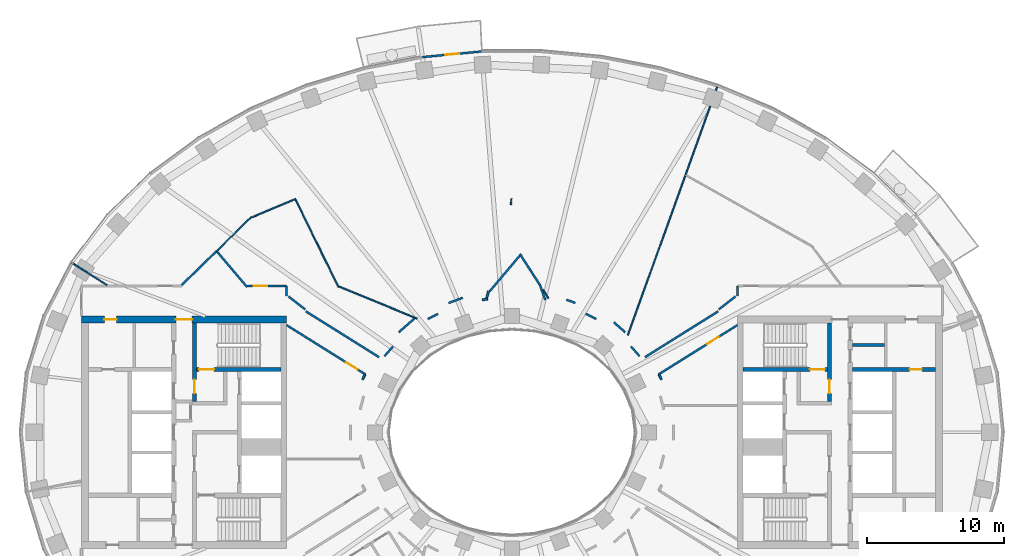
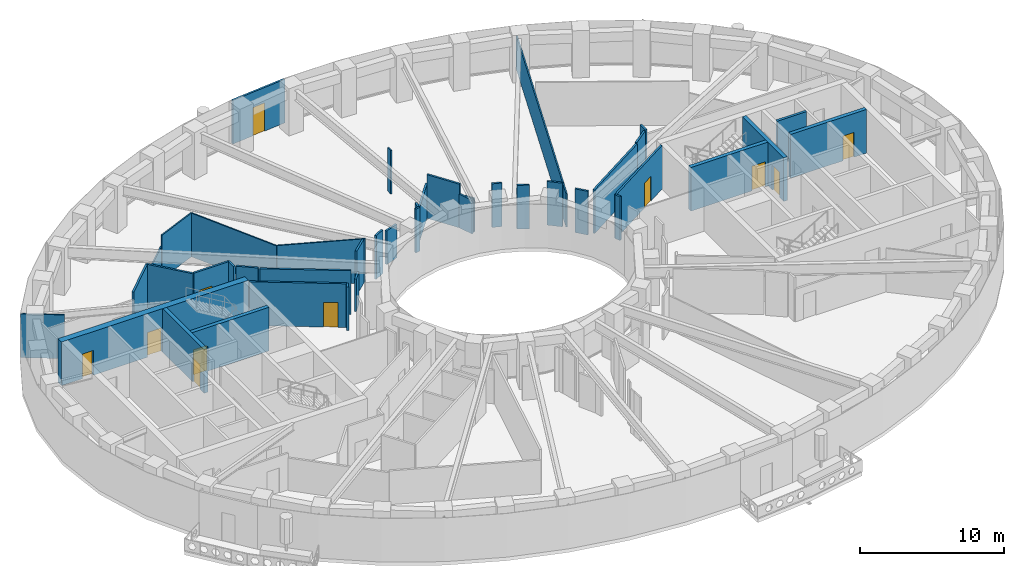
# One storey, part 6 of 16: 42 walls, 11 doors, 11 openings.
"""IFC4 building model written with IfcOpenShell, lengths in metres."""

import ifcopenshell
import ifcopenshell.guid

model = None  # the IFC model being written
_history = None  # IfcOwnerHistory: only IFC2X3 demands one
_inside = {}  # id of a spatial element -> (the spatial element, [elements in it])
_under = {}  # id of a project, library or spatial element -> (it, [spatial elements below it])
_declared = {}  # id of a project -> (the project, [libraries it declares])
_typed = {}  # id of a type object -> (the type object, [elements of that type])
_made_of = {}  # id of a material, layer set ... -> (it, [elements and type objects made of it])


def new_model(schema):
    """Start an empty IFC model of exactly this schema.

    Asked for "IFC4X3", IfcOpenShell would pick the latest addendum, in which some entities
    have other attributes; the version numbers below select the first issue.
    IFC2X3 requires an IfcOwnerHistory on every rooted entity: one is made here for all.
    """
    global model, _history
    if schema == "IFC4X3":
        model = ifcopenshell.file(schema_version=(4, 3, 0, 0))
    else:
        model = ifcopenshell.file(schema=schema)
    _inside.clear()
    _under.clear()
    _declared.clear()
    _typed.clear()
    _made_of.clear()
    _history = None
    if model.schema == "IFC2X3":
        org = make("IfcOrganization", Name="unknown")
        user = make(
            "IfcPersonAndOrganization",
            ThePerson=make("IfcPerson", FamilyName="unknown"),
            TheOrganization=org,
        )
        app = make(
            "IfcApplication",
            ApplicationDeveloper=org,
            Version="unknown",
            ApplicationFullName="unknown",
            ApplicationIdentifier="unknown",
        )
        _history = make(
            "IfcOwnerHistory",
            OwningUser=user,
            OwningApplication=app,
            ChangeAction="ADDED",
            CreationDate=0,
        )
    return model


def make(cls, **values):
    """One entity of the class cls with the attributes given. An attribute that is None is left unset."""
    return model.create_entity(
        cls, **{name: value for name, value in values.items() if value is not None}
    )


def rooted(cls, **values):
    """An entity with a GlobalId (a new one), such as an element, a storey or a relation."""
    return make(cls, GlobalId=ifcopenshell.guid.new(), OwnerHistory=_history, **values)


def si_unit(unit_type, name, prefix=None):
    """IfcSIUnit, for example si_unit("LENGTHUNIT", "METRE", prefix="MILLI")."""
    return make("IfcSIUnit", UnitType=unit_type, Prefix=prefix, Name=name)


def assignment(units):
    """IfcUnitAssignment: the units of a project."""
    return None if units is None else make("IfcUnitAssignment", Units=units)


def point(xyz):
    """IfcCartesianPoint."""
    return None if xyz is None else make("IfcCartesianPoint", Coordinates=xyz)


def direction(xyz):
    """IfcDirection."""
    return None if xyz is None else make("IfcDirection", DirectionRatios=xyz)


def frame(location, z_axis=None, x_axis=None):
    """IfcAxis2Placement3D, a coordinate frame: its origin and axes. An axis left out is left unset."""
    return make(
        "IfcAxis2Placement3D",
        Location=point(location),
        Axis=direction(z_axis),
        RefDirection=direction(x_axis),
    )


def frame_2d(location, x_axis=None):
    """IfcAxis2Placement2D, a coordinate frame in the plane: its origin and x axis."""
    return make(
        "IfcAxis2Placement2D", Location=point(location), RefDirection=direction(x_axis)
    )


def origin():
    """The frame at (0, 0, 0) with its axes left unset."""
    return frame((0.0, 0.0, 0.0))


def place(relative_to, where):
    """IfcLocalPlacement: puts the frame where relative to a parent placement (None: the world)."""
    return make(
        "IfcLocalPlacement", PlacementRelTo=relative_to, RelativePlacement=where
    )


def context(
    kind, dimensions, precision=None, world=None, true_north=None, identifier=None
):
    """IfcGeometricRepresentationContext, for example the 3D "Model" context."""
    return make(
        "IfcGeometricRepresentationContext",
        ContextIdentifier=identifier,
        ContextType=kind,
        CoordinateSpaceDimension=dimensions,
        Precision=precision,
        WorldCoordinateSystem=world,
        TrueNorth=true_north,
    )


def subcontext(parent, identifier, kind, view, scale=None):
    """IfcGeometricRepresentationSubContext, for example "Body" below "Model"."""
    return make(
        "IfcGeometricRepresentationSubContext",
        ContextIdentifier=identifier,
        ContextType=kind,
        ParentContext=parent,
        TargetScale=scale,
        TargetView=view,
    )


def project(units=None, contexts=None):
    """IfcProject with its units and contexts."""
    return rooted(
        "IfcProject",
        Name="project",
        RepresentationContexts=contexts,
        UnitsInContext=assignment(units),
    )


def spatial(cls, under=None, at=None, **own):
    """A site, building, storey or space (cls), placed at a placement, below another one or the project."""
    s = rooted(cls, ObjectPlacement=at, **own)
    if under is not None:
        _under.setdefault(under.id(), (under, []))[1].append(s)
    return s


def profile(cls, at=None, kind="AREA", **sizes):
    """A parametric profile (cls). Its sizes go by their IFC names, for example OverallWidth=200.0."""
    return make(cls, ProfileType=kind, Position=at, **sizes)


def rectangle(**sizes):
    """IfcRectangleProfileDef."""
    return profile("IfcRectangleProfileDef", **sizes)


def extrude(swept, where, along, depth):
    """IfcExtrudedAreaSolid: the profile swept, set in the frame where, extruded along a direction by depth."""
    return make(
        "IfcExtrudedAreaSolid",
        SweptArea=swept,
        Position=where,
        ExtrudedDirection=direction(along),
        Depth=depth,
    )


def shape(context_of_items, identifier, shape_type, items):
    """IfcShapeRepresentation: the items that make up one representation, for example the "Body"."""
    return make(
        "IfcShapeRepresentation",
        ContextOfItems=context_of_items,
        RepresentationIdentifier=identifier,
        RepresentationType=shape_type,
        Items=items,
    )


def material(Name=None, Category=None):
    """IfcMaterial."""
    return make("IfcMaterial", Name=Name, Category=Category)


def layer(
    of_material, thickness, ventilated=None, Name=None, Category=None, Priority=None
):
    """IfcMaterialLayer: one layer of a wall or slab, of a material (None: an air gap)."""
    return make(
        "IfcMaterialLayer",
        Material=of_material,
        LayerThickness=thickness,
        IsVentilated=ventilated,
        Name=Name,
        Category=Category,
        Priority=Priority,
    )


def layer_set(layers, Name=None):
    """IfcMaterialLayerSet."""
    return make("IfcMaterialLayerSet", MaterialLayers=layers, LayerSetName=Name)


def made_of(thing, what):
    """Note that an element or type object is made of a material, layer set ...; save() writes the relation."""
    if what is not None:
        _made_of.setdefault(what.id(), (what, []))[1].append(thing)
    return thing


def type_object(cls, material=None, **own):
    """A type object (cls), such as IfcWallType, which elements share."""
    return made_of(rooted(cls, **own), material)


def element(
    cls,
    number,
    at=None,
    inside=None,
    cuts=None,
    type_object=None,
    material=None,
    context=None,
    identifier="Body",
    shape_type=None,
    held_by="IfcProductDefinitionShape",
    body=None,
    shapes=None,
    **own,
):
    """One element of the class cls, such as IfcWall. Its Tag is "e" and its number.

    at: its placement. inside: the storey or other place that contains it. cuts: it is an
    opening in that element (IfcRelVoidsElement). A single representation is given by context,
    identifier, shape_type and body (its items); several are given by shapes. held_by: the class
    of the entity that holds the representations. save() writes the other relations.
    """
    e = rooted(cls, Tag="e%d" % number, ObjectPlacement=at, **own)
    if body is not None:
        shapes = [shape(context, identifier, shape_type, body)]
    if shapes is not None:
        e.Representation = make(held_by, Representations=shapes)
    if inside is not None:
        _inside.setdefault(inside.id(), (inside, []))[1].append(e)
    if cuts is not None:
        rooted(
            "IfcRelVoidsElement", RelatingBuildingElement=cuts, RelatedOpeningElement=e
        )
    if type_object is not None:
        _typed.setdefault(type_object.id(), (type_object, []))[1].append(e)
    return made_of(e, material)


def fill(opening, filler):
    """IfcRelFillsElement: the door or window that sits in an opening."""
    return rooted(
        "IfcRelFillsElement",
        RelatingOpeningElement=opening,
        RelatedBuildingElement=filler,
    )


def aggregate(whole, parts):
    """IfcRelAggregates: a whole, such as a stair, and the parts it consists of."""
    return rooted("IfcRelAggregates", RelatingObject=whole, RelatedObjects=parts)


def save(model, path):
    """Write the relations noted so far, then the file.

    IfcRelAggregates (storeys below a building ...), IfcRelContainedInSpatialStructure (elements
    in a storey), IfcRelDefinesByType, IfcRelAssociatesMaterial and IfcRelDeclares: one each for
    every whole, place, type object, material and project.
    """
    for whole, parts in _under.values():
        aggregate(whole, parts)
    for where, things in _inside.values():
        rooted(
            "IfcRelContainedInSpatialStructure",
            RelatedElements=things,
            RelatingStructure=where,
        )
    for kind, things in _typed.values():
        rooted("IfcRelDefinesByType", RelatedObjects=things, RelatingType=kind)
    for what, things in _made_of.values():
        rooted("IfcRelAssociatesMaterial", RelatedObjects=things, RelatingMaterial=what)
    for by, libraries in _declared.values():
        rooted("IfcRelDeclares", RelatingContext=by, RelatedDefinitions=libraries)
    model.write(path)


model = new_model("IFC4")

# Units and contexts
model_context = context("Model", 3, precision=1e-05, world=origin(), true_north=direction((0.0, 1.0)))
body_context = subcontext(model_context, "Body", "Model", "MODEL_VIEW")
ifc_project = project(units=[si_unit("LENGTHUNIT", "METRE"), si_unit("AREAUNIT", "SQUARE_METRE"), si_unit("VOLUMEUNIT", "CUBIC_METRE"), si_unit("PLANEANGLEUNIT", "RADIAN"), si_unit("MASSUNIT", "GRAM", prefix="KILO")], contexts=[model_context])

# Site, building, storey
site_placement = place(None, origin())
site = spatial("IfcSite", under=ifc_project, at=site_placement, CompositionType="ELEMENT")
building_placement = place(site_placement, origin())
building = spatial("IfcBuilding", under=site, at=building_placement, Name="Noorbagh Ring Tower", CompositionType="ELEMENT")
storey_placement = place(building_placement, frame((0.0, 0.0, 150.0)))
storey = spatial("IfcBuildingStorey", under=building, at=storey_placement, Name="L34", CompositionType="ELEMENT", Elevation=150.0)

# Wall
ifc_material_1 = material(Name="Gypsum board on steel studs", Category="steel")
ifc_layer_1 = layer(ifc_material_1, 0.199951171875)
ifc_layer_set_1 = layer_set([ifc_layer_1], Name="Gypsum board on steel studs")
wall_type_1 = type_object("IfcWallType", Name="CORE-PARTITION-200", PredefinedType="PARTITIONING", material=ifc_layer_set_1)
wall_1_placement = place(storey_placement, frame((24.89990234375, 6.39990234375, 0.0), z_axis=(0.0, 0.0, 1.0), x_axis=(1.0, 0.0, 0.0)))
element("IfcWall", 1, at=wall_1_placement, inside=storey, type_object=wall_type_1, Name="Core partition E", PredefinedType="PARTITIONING", context=body_context, shape_type="SweptSolid", body=[
    extrude(rectangle(XDim=2.35009765625, YDim=0.199951171875, at=frame_2d((1.175048828125, 0.0))), origin(), (0.0, 0.0, 1.0), 3.699951171875),
])

# Wall, opening, door
ifc_material_2 = material(Name="Concrete C60/75", Category="concrete")
ifc_layer_2 = layer(ifc_material_2, 0.300048828125)
ifc_layer_set_2 = layer_set([ifc_layer_2], Name="Concrete C60/75")
wall_type_2 = type_object("IfcWallType", Name="CORE-WALL-300-C60-75-EI240", PredefinedType="SHEAR", material=ifc_layer_set_2)
wall_2_placement = place(storey_placement, frame((-23.22998046875, 2.25, 0.0), z_axis=(0.0, 0.0, 1.0), x_axis=(0.0, 1.0, 0.0)))
wall_2 = element("IfcWall", 2, at=wall_2_placement, inside=storey, type_object=wall_type_2, Name="Core wall W", PredefinedType="SHEAR", context=body_context, shape_type="SweptSolid", body=[
    extrude(rectangle(XDim=5.75, YDim=0.300048828125, at=frame_2d((2.875, 0.0))), origin(), (0.0, 0.0, 1.0), 3.699951171875),
])
opening_1_placement = place(wall_2_placement, frame((0.60009765625, 0.0, 0.0)))
opening_1 = element("IfcOpeningElement", 3, at=opening_1_placement, cuts=wall_2, Name="Opening L34-CW09", PredefinedType="OPENING", context=body_context, shape_type="SweptSolid", body=[
    extrude(rectangle(XDim=1.0, YDim=2.10009765625, at=frame_2d((0.5, 1.050048828125))), frame((0.0, 0.16015625, 0.0), z_axis=(0.0, -1.0, 0.0), x_axis=(1.0, 0.0, 0.0)), (0.0, 0.0, 1.0), 0.320068359375),
])
ifc_material_3 = material(Name="Steel door leaf", Category="steel")
door_type_1 = type_object("IfcDoorType", Name="CORE-DOOR-DVEST", OperationType="SINGLE_SWING_LEFT", PredefinedType="DOOR", material=ifc_material_3)
door_1_placement = place(opening_1_placement, origin())
door_1 = element("IfcDoor", 4, at=door_1_placement, inside=storey, type_object=door_type_1, Name="Stair vestibule door L34-CW09", OperationType="SINGLE_SWING_LEFT", OverallHeight=2.10009765625, OverallWidth=1.0, PredefinedType="DOOR", context=body_context, shape_type="SweptSolid", body=[
    extrude(rectangle(XDim=1.0, YDim=2.10009765625, at=frame_2d((0.5, 1.050048828125))), frame((0.0, 0.02490234375, 0.0), z_axis=(0.0, -1.0, 0.0), x_axis=(1.0, 0.0, 0.0)), (0.0, 0.0, 1.0), 0.050048828125),
])
fill(opening_1, door_1)

wall_3_placement = place(storey_placement, frame((-16.89990234375, 4.60009765625, 0.0), z_axis=(0.0, 0.0, 1.0), x_axis=(-1.0, 0.0, 0.0)))
wall_3 = element("IfcWall", 5, at=wall_3_placement, inside=storey, type_object=wall_type_2, Name="Core wall W", PredefinedType="SHEAR", context=body_context, shape_type="SweptSolid", body=[
    extrude(rectangle(XDim=6.18017578125, YDim=0.300048828125, at=frame_2d((3.090087890625, 0.0))), origin(), (0.0, 0.0, 1.0), 3.699951171875),
])
opening_2_placement = place(wall_3_placement, frame((4.89990234375, 0.0, 0.0)))
opening_2 = element("IfcOpeningElement", 6, at=opening_2_placement, cuts=wall_3, Name="Opening L34-CW06", PredefinedType="OPENING", context=body_context, shape_type="SweptSolid", body=[
    extrude(rectangle(XDim=1.10009765625, YDim=2.10009765625, at=frame_2d((0.550048828125, 1.050048828125))), frame((0.0, 0.16015625, 0.0), z_axis=(0.0, -1.0, 0.0), x_axis=(1.0, 0.0, 0.0)), (0.0, 0.0, 1.0), 0.320068359375),
])
ifc_material_4 = material(Name="Steel door leaf", Category="steel")
door_type_2 = type_object("IfcDoorType", Name="CORE-DOOR-DSTAIR", OperationType="SINGLE_SWING_LEFT", PredefinedType="DOOR", material=ifc_material_4)
door_2_placement = place(opening_2_placement, origin())
door_2 = element("IfcDoor", 7, at=door_2_placement, inside=storey, type_object=door_type_2, Name="Stair door ST1 L34-CW06", OperationType="SINGLE_SWING_RIGHT", OverallHeight=2.10009765625, OverallWidth=1.10009765625, PredefinedType="DOOR", context=body_context, shape_type="SweptSolid", body=[
    extrude(rectangle(XDim=1.10009765625, YDim=2.10009765625, at=frame_2d((0.550048828125, 1.050048828125))), frame((0.0, 0.02490234375, 0.0), z_axis=(0.0, -1.0, 0.0), x_axis=(1.0, 0.0, 0.0)), (0.0, 0.0, 1.0), 0.050048828125),
])
fill(opening_2, door_2)

wall_4_placement = place(storey_placement, frame((24.89990234375, 4.60009765625, 0.0), z_axis=(0.0, 0.0, 1.0), x_axis=(1.0, 0.0, 0.0)))
wall_4 = element("IfcWall", 8, at=wall_4_placement, inside=storey, type_object=wall_type_2, Name="Core wall E", PredefinedType="SHEAR", context=body_context, shape_type="SweptSolid", body=[
    extrude(rectangle(XDim=6.10009765625, YDim=0.300048828125, at=frame_2d((3.050048828125, 0.0))), origin(), (0.0, 0.0, 1.0), 3.699951171875),
])
opening_3_placement = place(wall_4_placement, frame((4.199951171875, 0.0, 0.0)))
opening_3 = element("IfcOpeningElement", 9, at=opening_3_placement, cuts=wall_4, Name="Opening L34-CE18", PredefinedType="OPENING", context=body_context, shape_type="SweptSolid", body=[
    extrude(rectangle(XDim=0.89990234375, YDim=2.10009765625, at=frame_2d((0.449951171875, 1.050048828125))), frame((0.0, 0.16015625, 0.0), z_axis=(0.0, -1.0, 0.0), x_axis=(1.0, 0.0, 0.0)), (0.0, 0.0, 1.0), 0.320068359375),
])
ifc_material_5 = material(Name="Steel door leaf", Category="steel")
door_type_3 = type_object("IfcDoorType", Name="CORE-DOOR-DROOM", OperationType="SINGLE_SWING_LEFT", PredefinedType="DOOR", material=ifc_material_5)
door_3_placement = place(opening_3_placement, origin())
door_3 = element("IfcDoor", 10, at=door_3_placement, inside=storey, type_object=door_type_3, Name="Core room door L34-CE18", OperationType="SINGLE_SWING_RIGHT", OverallHeight=2.10009765625, OverallWidth=0.89990234375, PredefinedType="DOOR", context=body_context, shape_type="SweptSolid", body=[
    extrude(rectangle(XDim=0.89990234375, YDim=2.10009765625, at=frame_2d((0.449951171875, 1.050048828125))), frame((0.0, 0.02490234375, 0.0), z_axis=(0.0, -1.0, 0.0), x_axis=(1.0, 0.0, 0.0)), (0.0, 0.0, 1.0), 0.050048828125),
])
fill(opening_3, door_3)

wall_5_placement = place(storey_placement, frame((23.22998046875, 2.25, 0.0), z_axis=(0.0, 0.0, 1.0), x_axis=(0.0, 1.0, 0.0)))
wall_5 = element("IfcWall", 11, at=wall_5_placement, inside=storey, type_object=wall_type_2, Name="Core wall E", PredefinedType="SHEAR", context=body_context, shape_type="SweptSolid", body=[
    extrude(rectangle(XDim=5.75, YDim=0.300048828125, at=frame_2d((2.875, 0.0))), origin(), (0.0, 0.0, 1.0), 3.699951171875),
])
opening_4_placement = place(wall_5_placement, frame((0.60009765625, 0.0, 0.0)))
opening_4 = element("IfcOpeningElement", 12, at=opening_4_placement, cuts=wall_5, Name="Opening L34-CE10", PredefinedType="OPENING", context=body_context, shape_type="SweptSolid", body=[
    extrude(rectangle(XDim=1.0, YDim=2.10009765625, at=frame_2d((0.5, 1.050048828125))), frame((0.0, 0.16015625, 0.0), z_axis=(0.0, -1.0, 0.0), x_axis=(1.0, 0.0, 0.0)), (0.0, 0.0, 1.0), 0.320068359375),
])
door_4_placement = place(opening_4_placement, origin())
door_4 = element("IfcDoor", 13, at=door_4_placement, inside=storey, type_object=door_type_1, Name="Stair vestibule door L34-CE10", OperationType="SINGLE_SWING_RIGHT", OverallHeight=2.10009765625, OverallWidth=1.0, PredefinedType="DOOR", context=body_context, shape_type="SweptSolid", body=[
    extrude(rectangle(XDim=1.0, YDim=2.10009765625, at=frame_2d((0.5, 1.050048828125))), frame((0.0, 0.02490234375, 0.0), z_axis=(0.0, -1.0, 0.0), x_axis=(1.0, 0.0, 0.0)), (0.0, 0.0, 1.0), 0.050048828125),
])
fill(opening_4, door_4)

wall_6_placement = place(storey_placement, frame((16.89990234375, 4.60009765625, 0.0), z_axis=(0.0, 0.0, 1.0), x_axis=(1.0, 0.0, 0.0)))
wall_6 = element("IfcWall", 14, at=wall_6_placement, inside=storey, type_object=wall_type_2, Name="Core wall E", PredefinedType="SHEAR", context=body_context, shape_type="SweptSolid", body=[
    extrude(rectangle(XDim=6.18017578125, YDim=0.300048828125, at=frame_2d((3.090087890625, 0.0))), origin(), (0.0, 0.0, 1.0), 3.699951171875),
])
opening_5_placement = place(wall_6_placement, frame((4.89990234375, 0.0, 0.0)))
opening_5 = element("IfcOpeningElement", 15, at=opening_5_placement, cuts=wall_6, Name="Opening L34-CE07", PredefinedType="OPENING", context=body_context, shape_type="SweptSolid", body=[
    extrude(rectangle(XDim=1.10009765625, YDim=2.10009765625, at=frame_2d((0.550048828125, 1.050048828125))), frame((0.0, 0.16015625, 0.0), z_axis=(0.0, -1.0, 0.0), x_axis=(1.0, 0.0, 0.0)), (0.0, 0.0, 1.0), 0.320068359375),
])
door_5_placement = place(opening_5_placement, origin())
door_5 = element("IfcDoor", 16, at=door_5_placement, inside=storey, type_object=door_type_2, Name="Stair door ST3 L34-CE07", OperationType="SINGLE_SWING_LEFT", OverallHeight=2.10009765625, OverallWidth=1.10009765625, PredefinedType="DOOR", context=body_context, shape_type="SweptSolid", body=[
    extrude(rectangle(XDim=1.10009765625, YDim=2.10009765625, at=frame_2d((0.550048828125, 1.050048828125))), frame((0.0, 0.02490234375, 0.0), z_axis=(0.0, -1.0, 0.0), x_axis=(1.0, 0.0, 0.0)), (0.0, 0.0, 1.0), 0.050048828125),
])
fill(opening_5, door_5)

# Wall, openings, doors
ifc_material_6 = material(Name="Concrete C60/75", Category="concrete")
ifc_layer_3 = layer(ifc_material_6, 0.5)
ifc_layer_set_3 = layer_set([ifc_layer_3], Name="Concrete C60/75")
wall_type_3 = type_object("IfcWallType", Name="CORE-WALL-500-C60-75-EI240", PredefinedType="SHEAR", material=ifc_layer_set_3)
wall_7_placement = place(storey_placement, frame((-16.5, 8.25, 0.0), z_axis=(0.0, 0.0, 1.0), x_axis=(-1.0, 0.0, 0.0)))
wall_7 = element("IfcWall", 17, at=wall_7_placement, inside=storey, type_object=wall_type_3, Name="Core wall W", PredefinedType="SHEAR", context=body_context, shape_type="SweptSolid", body=[
    extrude(rectangle(XDim=15.0, YDim=0.5, at=frame_2d((7.5, 0.0))), origin(), (0.0, 0.0, 1.0), 3.699951171875),
])
opening_6_placement = place(wall_7_placement, frame((6.89990234375, 0.0, 0.0)))
opening_6 = element("IfcOpeningElement", 18, at=opening_6_placement, cuts=wall_7, Name="Opening L34-CW10", PredefinedType="OPENING", context=body_context, shape_type="SweptSolid", body=[
    extrude(rectangle(XDim=1.199951171875, YDim=2.10009765625, at=frame_2d((0.60009765625, 1.050048828125))), frame((0.0, 0.260009765625, 0.0), z_axis=(0.0, -1.0, 0.0), x_axis=(1.0, 0.0, 0.0)), (0.0, 0.0, 1.0), 0.52001953125),
])
opening_7_placement = place(wall_7_placement, frame((12.425048828125, 0.0, 0.0)))
opening_7 = element("IfcOpeningElement", 19, at=opening_7_placement, cuts=wall_7, Name="Opening L34-CW13", PredefinedType="OPENING", context=body_context, shape_type="SweptSolid", body=[
    extrude(rectangle(XDim=0.89990234375, YDim=2.10009765625, at=frame_2d((0.449951171875, 1.050048828125))), frame((0.0, 0.260009765625, 0.0), z_axis=(0.0, -1.0, 0.0), x_axis=(1.0, 0.0, 0.0)), (0.0, 0.0, 1.0), 0.52001953125),
])
door_6_placement = place(opening_7_placement, origin())
door_6 = element("IfcDoor", 20, at=door_6_placement, inside=storey, type_object=door_type_3, Name="Core room door L34-CW13", OperationType="SINGLE_SWING_RIGHT", OverallHeight=2.10009765625, OverallWidth=0.89990234375, PredefinedType="DOOR", context=body_context, shape_type="SweptSolid", body=[
    extrude(rectangle(XDim=0.89990234375, YDim=2.10009765625, at=frame_2d((0.449951171875, 1.050048828125))), frame((0.0, 0.02490234375, 0.0), z_axis=(0.0, -1.0, 0.0), x_axis=(1.0, 0.0, 0.0)), (0.0, 0.0, 1.0), 0.050048828125),
])
fill(opening_7, door_6)
ifc_material_7 = material(Name="Steel door leaf", Category="steel")
door_type_4 = type_object("IfcDoorType", Name="CORE-DOOR-PORT", OperationType="DOUBLE_DOOR_DOUBLE_SWING", PredefinedType="DOOR", material=ifc_material_7)
door_7_placement = place(opening_6_placement, origin())
door_7 = element("IfcDoor", 21, at=door_7_placement, inside=storey, type_object=door_type_4, Name="Core entrance door L34-CW10", OperationType="DOUBLE_DOOR_DOUBLE_SWING", OverallHeight=2.10009765625, OverallWidth=1.199951171875, PredefinedType="DOOR", context=body_context, shape_type="SweptSolid", body=[
    extrude(rectangle(XDim=1.199951171875, YDim=2.10009765625, at=frame_2d((0.60009765625, 1.050048828125))), frame((0.0, 0.02490234375, 0.0), z_axis=(0.0, -1.0, 0.0), x_axis=(1.0, 0.0, 0.0)), (0.0, 0.0, 1.0), 0.050048828125),
])
fill(opening_6, door_7)

# Walls
ifc_material_8 = material(Name="Gypsum board on steel studs", Category="steel")
ifc_layer_4 = layer(ifc_material_8, 0.14990234375)
ifc_layer_set_4 = layer_set([ifc_layer_4], Name="Gypsum board on steel studs")
wall_type_4 = type_object("IfcWallType", Name="CORRIDOR PARTITION 150 EI 30", PredefinedType="PARTITIONING", material=ifc_layer_set_4)
wall_8_placement = place(storey_placement, frame((-24.166015625, 10.778076171875, 0.0), z_axis=(0.0, 0.0, 1.0), x_axis=(0.715930732039, 0.698171316313, 0.0)))
element("IfcWall", 22, at=wall_8_placement, inside=storey, type_object=wall_type_4, Name="L34/wall/P09", PredefinedType="PARTITIONING", context=body_context, shape_type="SweptSolid", body=[
    extrude(rectangle(XDim=3.560546875, YDim=0.14990234375, at=frame_2d((1.7802734375, 0.0))), origin(), (0.0, 0.0, 1.0), 3.699951171875),
])
wall_9_placement = place(storey_placement, frame((-21.616943359375, 13.263916015625, 0.0), z_axis=(0.0, 0.0, 1.0), x_axis=(0.646521695402, -0.762895600574, 0.0)))
element("IfcWall", 23, at=wall_9_placement, inside=storey, type_object=wall_type_4, Name="L34/wall/P12", PredefinedType="PARTITIONING", context=body_context, shape_type="SweptSolid", body=[
    extrude(rectangle(XDim=3.455322265625, YDim=0.14990234375, at=frame_2d((1.7275390625, 0.0))), origin(), (0.0, 0.0, 1.0), 3.699951171875),
])

# Wall, opening, door
wall_10_placement = place(storey_placement, frame((-19.346923828125, 10.699951171875, 0.0), z_axis=(0.0, 0.0, 1.0), x_axis=(1.0, 0.0, 0.0)))
wall_10 = element("IfcWall", 24, at=wall_10_placement, inside=storey, type_object=wall_type_4, Name="L34/wall/P14", PredefinedType="PARTITIONING", context=body_context, shape_type="SweptSolid", body=[
    extrude(rectangle(XDim=2.846923828125, YDim=0.14990234375, at=frame_2d((1.42333984375, 0.0))), origin(), (0.0, 0.0, 1.0), 3.699951171875),
])
opening_8_placement = place(wall_10_placement, frame((0.447021484375, 0.0, 0.0)))
opening_8 = element("IfcOpeningElement", 25, at=opening_8_placement, cuts=wall_10, Name="Opening D1", PredefinedType="OPENING", context=body_context, shape_type="SweptSolid", body=[
    extrude(rectangle(XDim=1.0, YDim=2.10009765625, at=frame_2d((0.5, 1.050048828125))), frame((0.0, 0.0849609375, 0.0), z_axis=(0.0, -1.0, 0.0), x_axis=(1.0, 0.0, 0.0)), (0.0, 0.0, 1.0), 0.169921875),
])
ifc_material_9 = material(Name="Timber, painted", Category="wood")
door_type_5 = type_object("IfcDoorType", Name="DOOR 1000 X 2100 FD30", OperationType="SINGLE_SWING_LEFT", PredefinedType="DOOR", material=ifc_material_9)
door_8_placement = place(opening_8_placement, origin())
door_8 = element("IfcDoor", 26, at=door_8_placement, inside=storey, type_object=door_type_5, Name="L34-D10", OperationType="SINGLE_SWING_RIGHT", OverallHeight=2.10009765625, OverallWidth=1.0, PredefinedType="DOOR", context=body_context, shape_type="SweptSolid", body=[
    extrude(rectangle(XDim=1.0, YDim=2.10009765625, at=frame_2d((0.5, 1.050048828125))), frame((0.0, 0.02490234375, 0.0), z_axis=(0.0, -1.0, 0.0), x_axis=(1.0, 0.0, 0.0)), (0.0, 0.0, 1.0), 0.050048828125),
])
fill(opening_8, door_8)

# Wall
wall_11_placement = place(storey_placement, frame((-16.5, 9.964111328125, 0.0), z_axis=(0.0, 0.0, 1.0), x_axis=(0.0, 1.0, 0.0)))
element("IfcWall", 27, at=wall_11_placement, inside=storey, type_object=wall_type_4, Name="L34/wall/P21", PredefinedType="PARTITIONING", context=body_context, shape_type="SweptSolid", body=[
    extrude(rectangle(XDim=0.73583984375, YDim=0.14990234375, at=frame_2d((0.367919921875, 0.0))), origin(), (0.0, 0.0, 1.0), 3.699951171875),
])

# Wall, opening, door
wall_12_placement = place(storey_placement, frame((-16.5, 7.85107421875, 0.0), z_axis=(0.0, 0.0, 1.0), x_axis=(0.847690706888, -0.530490777917, 0.0)))
wall_12 = element("IfcWall", 28, at=wall_12_placement, inside=storey, type_object=wall_type_4, Name="L34/wall/P25", PredefinedType="PARTITIONING", context=body_context, shape_type="SweptSolid", body=[
    extrude(rectangle(XDim=6.78076171875, YDim=0.14990234375, at=frame_2d((3.390380859375, 0.0))), origin(), (0.0, 0.0, 1.0), 3.699951171875),
])
opening_9_placement = place(wall_12_placement, frame((5.1513671875, 0.0, 0.0)))
opening_9 = element("IfcOpeningElement", 29, at=opening_9_placement, cuts=wall_12, Name="Opening D1", PredefinedType="OPENING", context=body_context, shape_type="SweptSolid", body=[
    extrude(rectangle(XDim=1.0, YDim=2.10009765625, at=frame_2d((0.5, 1.050048828125))), frame((0.0, 0.0849609375, 0.0), z_axis=(0.0, -1.0, 0.0), x_axis=(1.0, 0.0, 0.0)), (0.0, 0.0, 1.0), 0.169921875),
])
door_9_placement = place(opening_9_placement, origin())
door_9 = element("IfcDoor", 30, at=door_9_placement, inside=storey, type_object=door_type_5, Name="L34-D16", OperationType="SINGLE_SWING_RIGHT", OverallHeight=2.10009765625, OverallWidth=1.0, PredefinedType="DOOR", context=body_context, shape_type="SweptSolid", body=[
    extrude(rectangle(XDim=1.0, YDim=2.10009765625, at=frame_2d((0.5, 1.050048828125))), frame((0.0, 0.02490234375, 0.0), z_axis=(0.0, -1.0, 0.0), x_axis=(1.0, 0.0, 0.0)), (0.0, 0.0, 1.0), 0.050048828125),
])
fill(opening_9, door_9)

# Walls
wall_13_placement = place(storey_placement, frame((-15.089111328125, 8.85595703125, 0.0), z_axis=(0.0, 0.0, 1.0), x_axis=(0.847611500167, -0.53061732424, 0.0)))
element("IfcWall", 31, at=wall_13_placement, inside=storey, type_object=wall_type_4, Name="L34/wall/P28", PredefinedType="PARTITIONING", context=body_context, shape_type="SweptSolid", body=[
    extrude(rectangle(XDim=6.3154296875, YDim=0.14990234375, at=frame_2d((3.15771484375, 0.0))), origin(), (0.0, 0.0, 1.0), 3.699951171875),
])
wall_14_placement = place(storey_placement, frame((-10.93798828125, 3.863037109375, 0.0), z_axis=(0.0, 0.0, 1.0), x_axis=(0.429758433873, 0.90294390109, 0.0)))
element("IfcWall", 32, at=wall_14_placement, inside=storey, type_object=wall_type_4, Name="L34/wall/P35", PredefinedType="PARTITIONING", context=body_context, shape_type="SweptSolid", body=[
    extrude(rectangle(XDim=0.432861328125, YDim=0.14990234375, at=frame_2d((0.21630859375, 0.0))), origin(), (0.0, 0.0, 1.0), 3.699951171875),
])
wall_15_placement = place(storey_placement, frame((-9.324951171875, 5.576904296875, 0.0), z_axis=(0.0, 0.0, 1.0), x_axis=(0.656365478363, 0.754443078578, 0.0)))
element("IfcWall", 33, at=wall_15_placement, inside=storey, type_object=wall_type_4, Name="L34/wall/P39", PredefinedType="PARTITIONING", context=body_context, shape_type="SweptSolid", body=[
    extrude(rectangle(XDim=0.9384765625, YDim=0.14990234375, at=frame_2d((0.46923828125, 0.0))), origin(), (0.0, 0.0, 1.0), 2.75),
])
wall_16_placement = place(storey_placement, frame((-8.283935546875, 7.322021484375, 0.0), z_axis=(0.0, 0.0, 1.0), x_axis=(0.750666784408, 0.660680996235, 0.0)))
element("IfcWall", 34, at=wall_16_placement, inside=storey, type_object=wall_type_4, Name="L34/wall/P44", PredefinedType="PARTITIONING", context=body_context, shape_type="SweptSolid", body=[
    extrude(rectangle(XDim=1.5546875, YDim=0.14990234375, at=frame_2d((0.77734375, 0.0))), origin(), (0.0, 0.0, 1.0), 3.699951171875),
])
wall_17_placement = place(storey_placement, frame((-6.16796875, 8.287109375, 0.0), z_axis=(0.0, 0.0, 1.0), x_axis=(0.889398654128, 0.457132403178, 0.0)))
element("IfcWall", 35, at=wall_17_placement, inside=storey, type_object=wall_type_4, Name="L34/wall/P46", PredefinedType="PARTITIONING", context=body_context, shape_type="SweptSolid", body=[
    extrude(rectangle(XDim=0.844482421875, YDim=0.14990234375, at=frame_2d((0.42236328125, 0.0))), origin(), (0.0, 0.0, 1.0), 3.699951171875),
])
wall_18_placement = place(storey_placement, frame((-4.635986328125, 9.468017578125, 0.0), z_axis=(0.0, 0.0, 1.0), x_axis=(0.939117611585, 0.343595855054, 0.0)))
element("IfcWall", 36, at=wall_18_placement, inside=storey, type_object=wall_type_4, Name="L34/wall/P48", PredefinedType="PARTITIONING", context=body_context, shape_type="SweptSolid", body=[
    extrude(rectangle(XDim=1.099853515625, YDim=0.14990234375, at=frame_2d((0.5498046875, 0.0))), origin(), (0.0, 0.0, 1.0), 2.85009765625),
])
wall_19_placement = place(storey_placement, frame((-2.1640625, 9.696044921875, 0.0), z_axis=(0.0, 0.0, 1.0), x_axis=(0.988931681562, 0.148371591632, 0.0)))
element("IfcWall", 37, at=wall_19_placement, inside=storey, type_object=wall_type_4, Name="L34/wall/P50", PredefinedType="PARTITIONING", context=body_context, shape_type="SweptSolid", body=[
    extrude(rectangle(XDim=0.38330078125, YDim=0.14990234375, at=frame_2d((0.191650390625, 0.0))), origin(), (0.0, 0.0, 1.0), 3.699951171875),
])
wall_20_placement = place(storey_placement, frame((-1.845947265625, 9.820068359375, 0.0), z_axis=(0.0, 0.0, 1.0), x_axis=(0.238509439489, 0.971140179003, 0.0)))
element("IfcWall", 38, at=wall_20_placement, inside=storey, type_object=wall_type_4, Name="L34/wall/P52", PredefinedType="PARTITIONING", context=body_context, shape_type="SweptSolid", body=[
    extrude(rectangle(XDim=0.528076171875, YDim=0.14990234375, at=frame_2d((0.26416015625, 0.0))), origin(), (0.0, 0.0, 1.0), 3.699951171875),
])
wall_21_placement = place(storey_placement, frame((-1.64697265625, 10.304931640625, 0.0), z_axis=(0.0, 0.0, 1.0), x_axis=(0.645396140417, 0.763848035891, 0.0)))
element("IfcWall", 39, at=wall_21_placement, inside=storey, type_object=wall_type_4, Name="L34/wall/P55", PredefinedType="PARTITIONING", context=body_context, shape_type="SweptSolid", body=[
    extrude(rectangle(XDim=3.58837890625, YDim=0.14990234375, at=frame_2d((1.794189453125, 0.0))), origin(), (0.0, 0.0, 1.0), 2.85009765625),
])
wall_22_placement = place(storey_placement, frame((0.6650390625, 12.9169921875, 0.0), z_axis=(0.0, 0.0, 1.0), x_axis=(0.542188091705, -0.840257147077, 0.0)))
element("IfcWall", 40, at=wall_22_placement, inside=storey, type_object=wall_type_4, Name="L34/wall/P63", PredefinedType="PARTITIONING", context=body_context, shape_type="SweptSolid", body=[
    extrude(rectangle(XDim=2.543212890625, YDim=0.14990234375, at=frame_2d((1.271484375, 0.0))), origin(), (0.0, 0.0, 1.0), 3.699951171875),
])
wall_23_placement = place(storey_placement, frame((2.0439453125, 10.780029296875, 0.0), z_axis=(0.0, 0.0, 1.0), x_axis=(0.338399406306, -0.941002572691, 0.0)))
element("IfcWall", 41, at=wall_23_placement, inside=storey, type_object=wall_type_4, Name="L34/wall/P68", PredefinedType="PARTITIONING", context=body_context, shape_type="SweptSolid", body=[
    extrude(rectangle(XDim=1.16162109375, YDim=0.14990234375, at=frame_2d((0.580810546875, 0.0))), origin(), (0.0, 0.0, 1.0), 2.85009765625),
])
wall_24_placement = place(storey_placement, frame((3.98291015625, 9.70703125, 0.0), z_axis=(0.0, 0.0, 1.0), x_axis=(0.939084167001, -0.343687252147, 0.0)))
element("IfcWall", 42, at=wall_24_placement, inside=storey, type_object=wall_type_4, Name="L34/wall/P71", PredefinedType="PARTITIONING", context=body_context, shape_type="SweptSolid", body=[
    extrude(rectangle(XDim=0.695556640625, YDim=0.14990234375, at=frame_2d((0.34765625, 0.0))), origin(), (0.0, 0.0, 1.0), 3.699951171875),
])
wall_25_placement = place(storey_placement, frame((5.39599609375, 8.68408203125, 0.0), z_axis=(0.0, 0.0, 1.0), x_axis=(0.889307410814, -0.45730988298, 0.0)))
element("IfcWall", 43, at=wall_25_placement, inside=storey, type_object=wall_type_4, Name="L34/wall/P72", PredefinedType="PARTITIONING", context=body_context, shape_type="SweptSolid", body=[
    extrude(rectangle(XDim=0.8681640625, YDim=0.14990234375, at=frame_2d((0.43408203125, 0.0))), origin(), (0.0, 0.0, 1.0), 3.699951171875),
])
wall_26_placement = place(storey_placement, frame((7.4580078125, 8.049072265625, 0.0), z_axis=(0.0, 0.0, 1.0), x_axis=(0.75060787095, -0.660747927782, 0.0)))
element("IfcWall", 44, at=wall_26_placement, inside=storey, type_object=wall_type_4, Name="L34/wall/P75", PredefinedType="PARTITIONING", context=body_context, shape_type="SweptSolid", body=[
    extrude(rectangle(XDim=1.100341796875, YDim=0.14990234375, at=frame_2d((0.55029296875, 0.0))), origin(), (0.0, 0.0, 1.0), 3.699951171875),
])
wall_27_placement = place(storey_placement, frame((8.708984375, 6.284912109375, 0.0), z_axis=(0.0, 0.0, 1.0), x_axis=(0.656365478363, -0.754443078578, 0.0)))
element("IfcWall", 45, at=wall_27_placement, inside=storey, type_object=wall_type_4, Name="L34/wall/P79", PredefinedType="PARTITIONING", context=body_context, shape_type="SweptSolid", body=[
    extrude(rectangle(XDim=0.9384765625, YDim=0.14990234375, at=frame_2d((0.46923828125, 0.0))), origin(), (0.0, 0.0, 1.0), 3.699951171875),
])
wall_28_placement = place(storey_placement, frame((9.736083984375, 5.5048828125, 0.0), z_axis=(0.0, 0.0, 1.0), x_axis=(0.847611500167, 0.53061732424, 0.0)))
element("IfcWall", 46, at=wall_28_placement, inside=storey, type_object=wall_type_4, Name="L34/wall/P81", PredefinedType="PARTITIONING", context=body_context, shape_type="SweptSolid", body=[
    extrude(rectangle(XDim=6.3154296875, YDim=0.14990234375, at=frame_2d((3.15771484375, 0.0))), origin(), (0.0, 0.0, 1.0), 3.699951171875),
])
wall_29_placement = place(storey_placement, frame((10.751953125, 4.25390625, 0.0), z_axis=(0.0, 0.0, 1.0), x_axis=(0.429758433873, -0.90294390109, 0.0)))
element("IfcWall", 47, at=wall_29_placement, inside=storey, type_object=wall_type_4, Name="L34/wall/P84", PredefinedType="PARTITIONING", context=body_context, shape_type="SweptSolid", body=[
    extrude(rectangle(XDim=0.432861328125, YDim=0.14990234375, at=frame_2d((0.21630859375, 0.0))), origin(), (0.0, 0.0, 1.0), 3.699951171875),
])

# Wall, opening, door
wall_30_placement = place(storey_placement, frame((10.751953125, 4.25390625, 0.0), z_axis=(0.0, 0.0, 1.0), x_axis=(0.847690706888, 0.530490777917, 0.0)))
wall_30 = element("IfcWall", 48, at=wall_30_placement, inside=storey, type_object=wall_type_4, Name="L34/wall/P85", PredefinedType="PARTITIONING", context=body_context, shape_type="SweptSolid", body=[
    extrude(rectangle(XDim=6.78076171875, YDim=0.14990234375, at=frame_2d((3.390380859375, 0.0))), origin(), (0.0, 0.0, 1.0), 3.699951171875),
])
opening_10_placement = place(wall_30_placement, frame((4.14990234375, 0.0, 0.0)))
opening_10 = element("IfcOpeningElement", 49, at=opening_10_placement, cuts=wall_30, Name="Opening D1", PredefinedType="OPENING", context=body_context, shape_type="SweptSolid", body=[
    extrude(rectangle(XDim=1.0, YDim=2.10009765625, at=frame_2d((0.5, 1.050048828125))), frame((0.0, 0.0849609375, 0.0), z_axis=(0.0, -1.0, 0.0), x_axis=(1.0, 0.0, 0.0)), (0.0, 0.0, 1.0), 0.169921875),
])
door_10_placement = place(opening_10_placement, origin())
door_10 = element("IfcDoor", 50, at=door_10_placement, inside=storey, type_object=door_type_5, Name="L34-D18", OperationType="SINGLE_SWING_RIGHT", OverallHeight=2.10009765625, OverallWidth=1.0, PredefinedType="DOOR", context=body_context, shape_type="SweptSolid", body=[
    extrude(rectangle(XDim=1.0, YDim=2.10009765625, at=frame_2d((0.5, 1.050048828125))), frame((0.0, 0.02490234375, 0.0), z_axis=(0.0, -1.0, 0.0), x_axis=(1.0, 0.0, 0.0)), (0.0, 0.0, 1.0), 0.050048828125),
])
fill(opening_10, door_10)

# Walls
wall_31_placement = place(storey_placement, frame((16.5, 9.964111328125, 0.0), z_axis=(0.0, 0.0, 1.0), x_axis=(0.0, 1.0, 0.0)))
element("IfcWall", 51, at=wall_31_placement, inside=storey, type_object=wall_type_4, Name="L34/wall/P93", PredefinedType="PARTITIONING", context=body_context, shape_type="SweptSolid", body=[
    extrude(rectangle(XDim=0.73583984375, YDim=0.14990234375, at=frame_2d((0.367919921875, 0.0))), origin(), (0.0, 0.0, 1.0), 3.699951171875),
])
for number, where, z_axis, x_axis, name in (
    (52, (-16.35205078125, 9.94189453125, 0.0), (0.0, 0.0, 1.0), (0.788950226826, -0.614457109643, 0.0), "L34/wall/P101"),
    (53, (15.138916015625, 8.9970703125, 0.0), (0.0, 0.0, 1.0), (0.788950226826, 0.614457109643, 0.0), "L34/wall/P103"),
):
    element("IfcWall", number, at=place(storey_placement, frame(where, z_axis=z_axis, x_axis=x_axis)), inside=storey, type_object=wall_type_4, Name=name, PredefinedType="PARTITIONING", context=body_context, shape_type="SweptSolid", body=[
        extrude(rectangle(XDim=1.53759765625, YDim=0.14990234375, at=frame_2d((0.768798828125, 0.0))), origin(), (0.0, 0.0, 1.0), 3.699951171875),
    ])

# Wall, opening, door
ifc_material_10 = material(Name="Insulated aluminium clad panel", Category="aluminium")
ifc_layer_5 = layer(ifc_material_10, 0.14990234375)
ifc_layer_set_5 = layer_set([ifc_layer_5], Name="Insulated aluminium clad panel")
wall_type_5 = type_object("IfcWallType", Name="ENV-WALL-DOOR", PredefinedType="STANDARD", material=ifc_layer_set_5)
wall_32_placement = place(storey_placement, frame((-2.166259765625, 27.875244140625, 0.0), z_axis=(0.0, 0.0, 1.0), x_axis=(-0.995473879823, -0.095035543824, 0.0)))
wall_32 = element("IfcWall", 54, at=wall_32_placement, inside=storey, type_object=wall_type_5, Name="Balcony door wall chord 13", PredefinedType="STANDARD", context=body_context, shape_type="SweptSolid", body=[
    extrude(rectangle(XDim=4.42626953125, YDim=0.14990234375, at=frame_2d((2.213134765625, 0.0))), origin(), (0.0, 0.0, 1.0), 3.699951171875),
])
opening_11_placement = place(wall_32_placement, frame((1.713134765625, 0.0, 0.0)))
opening_11 = element("IfcOpeningElement", 55, at=opening_11_placement, cuts=wall_32, Name="Opening D-BL", PredefinedType="OPENING", context=body_context, shape_type="SweptSolid", body=[
    extrude(rectangle(XDim=1.0, YDim=2.39990234375, at=frame_2d((0.5, 1.199951171875))), frame((0.0, 0.0849609375, 0.0), z_axis=(0.0, -1.0, 0.0), x_axis=(1.0, 0.0, 0.0)), (0.0, 0.0, 1.0), 0.169921875),
])
ifc_material_11 = material(Name="Aluminium and glass", Category="aluminium")
door_type_6 = type_object("IfcDoorType", Name="ENV-DOOR-BALCONY", OperationType="SINGLE_SWING_LEFT", PredefinedType="DOOR", material=ifc_material_11)
door_11_placement = place(opening_11_placement, origin())
door_11 = element("IfcDoor", 56, at=door_11_placement, inside=storey, type_object=door_type_6, Name="Balcony door chord 13", OperationType="SINGLE_SWING_LEFT", OverallHeight=2.39990234375, OverallWidth=1.0, PredefinedType="DOOR", context=body_context, shape_type="SweptSolid", body=[
    extrude(rectangle(XDim=1.0, YDim=2.39990234375, at=frame_2d((0.5, 1.199951171875))), frame((0.0, 0.02490234375, 0.0), z_axis=(0.0, -1.0, 0.0), x_axis=(1.0, 0.0, 0.0)), (0.0, 0.0, 1.0), 0.050048828125),
])
fill(opening_11, door_11)

# Walls
ifc_material_12 = material(Name="Gypsum board on steel studs", Category="steel")
ifc_layer_6 = layer(ifc_material_12, 0.10009765625)
ifc_layer_set_6 = layer_set([ifc_layer_6], Name="Gypsum board on steel studs")
wall_type_6 = type_object("IfcWallType", Name="PARTITION 100 GYPSUM", PredefinedType="PARTITIONING", material=ifc_layer_set_6)
wall_33_placement = place(storey_placement, frame((-32.2119140625, 12.407958984375, 0.0), z_axis=(0.0, 0.0, 1.0), x_axis=(0.844810627195, -0.535065420467, 0.0)))
element("IfcWall", 57, at=wall_33_placement, inside=storey, type_object=wall_type_6, Name="L34/wall/P03", PredefinedType="PARTITIONING", context=body_context, shape_type="SweptSolid", body=[
    extrude(rectangle(XDim=3.0478515625, YDim=0.10009765625, at=frame_2d((1.52392578125, 0.0))), origin(), (0.0, 0.0, 1.0), 3.699951171875),
])
wall_34_placement = place(storey_placement, frame((-21.617919921875, 13.264892578125, 0.0), z_axis=(0.0, 0.0, 1.0), x_axis=(0.716003517179, 0.69809667195, 0.0)))
element("IfcWall", 58, at=wall_34_placement, inside=storey, type_object=wall_type_6, Name="L34/wall/P10", PredefinedType="PARTITIONING", context=body_context, shape_type="SweptSolid", body=[
    extrude(rectangle(XDim=3.613037109375, YDim=0.10009765625, at=frame_2d((1.806640625, 0.0))), origin(), (0.0, 0.0, 1.0), 2.75),
])
wall_35_placement = place(storey_placement, frame((-19.0029296875, 15.743896484375, 0.0), z_axis=(0.0, 0.0, 1.0), x_axis=(0.921193815687, 0.389104039995, 0.0)))
element("IfcWall", 59, at=wall_35_placement, inside=storey, type_object=wall_type_6, Name="L34/wall/P16", PredefinedType="PARTITIONING", context=body_context, shape_type="SweptSolid", body=[
    extrude(rectangle(XDim=3.418212890625, YDim=0.10009765625, at=frame_2d((1.708984375, 0.0))), origin(), (0.0, 0.0, 1.0), 3.699951171875),
])
wall_36_placement = place(storey_placement, frame((-15.85400390625, 17.073974609375, 0.0), z_axis=(0.0, 0.0, 1.0), x_axis=(0.439232714934, -0.898373320024, 0.0)))
element("IfcWall", 60, at=wall_36_placement, inside=storey, type_object=wall_type_6, Name="L34/wall/P23", PredefinedType="PARTITIONING", context=body_context, shape_type="SweptSolid", body=[
    extrude(rectangle(XDim=7.174072265625, YDim=0.10009765625, at=frame_2d((3.5869140625, 0.0))), origin(), (0.0, 0.0, 1.0), 3.699951171875),
])
wall_37_placement = place(storey_placement, frame((-12.666015625, 10.6689453125, 0.0), z_axis=(0.0, 0.0, 1.0), x_axis=(0.925451421732, -0.378866290416, 0.0)))
element("IfcWall", 61, at=wall_37_placement, inside=storey, type_object=wall_type_6, Name="L34/wall/P29", PredefinedType="PARTITIONING", context=body_context, shape_type="SweptSolid", body=[
    extrude(rectangle(XDim=6.189453125, YDim=0.10009765625, at=frame_2d((3.0947265625, 0.0))), origin(), (0.0, 0.0, 1.0), 3.699951171875),
])
wall_38_placement = place(storey_placement, frame((-0.069091796875, 16.657958984375, 0.0), z_axis=(0.0, 0.0, 1.0), x_axis=(0.047263912187, 0.998882436829, 0.0)))
element("IfcWall", 62, at=wall_38_placement, inside=storey, type_object=wall_type_6, Name="L34/wall/P60", PredefinedType="PARTITIONING", context=body_context, shape_type="SweptSolid", body=[
    extrude(rectangle(XDim=0.423583984375, YDim=0.10009765625, at=frame_2d((0.2119140625, 0.0))), origin(), (0.0, 0.0, 1.0), 3.699951171875),
])
wall_39_placement = place(storey_placement, frame((2.27197265625, 10.427001953125, 0.0), z_axis=(0.0, 0.0, 1.0), x_axis=(0.542357038302, -0.840148107779, 0.0)))
element("IfcWall", 63, at=wall_39_placement, inside=storey, type_object=wall_type_6, Name="L34/wall/P69", PredefinedType="PARTITIONING", context=body_context, shape_type="SweptSolid", body=[
    extrude(rectangle(XDim=0.724853515625, YDim=0.10009765625, at=frame_2d((0.3623046875, 0.0))), origin(), (0.0, 0.0, 1.0), 2.85009765625),
])
wall_40_placement = place(storey_placement, frame((8.47802734375, 7.111083984375, 0.0), z_axis=(0.0, 0.0, 1.0), x_axis=(0.338361922043, 0.941016051782, 0.0)))
element("IfcWall", 64, at=wall_40_placement, inside=storey, type_object=wall_type_6, Name="L34/wall/P77", PredefinedType="PARTITIONING", context=body_context, shape_type="SweptSolid", body=[
    extrude(rectangle(XDim=19.417236328125, YDim=0.10009765625, at=frame_2d((9.70849609375, 0.0))), origin(), (0.0, 0.0, 1.0), 2.85009765625),
])

save(model, "model.ifc")
